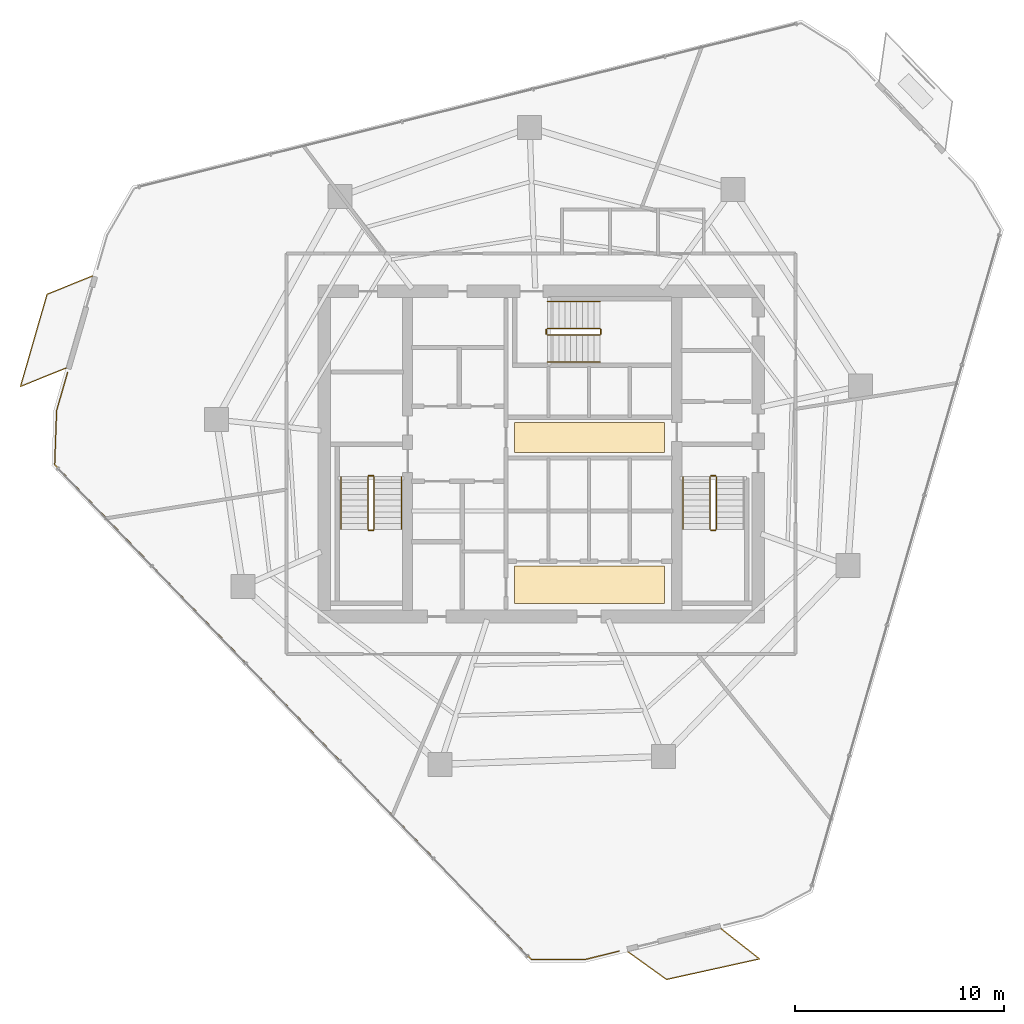
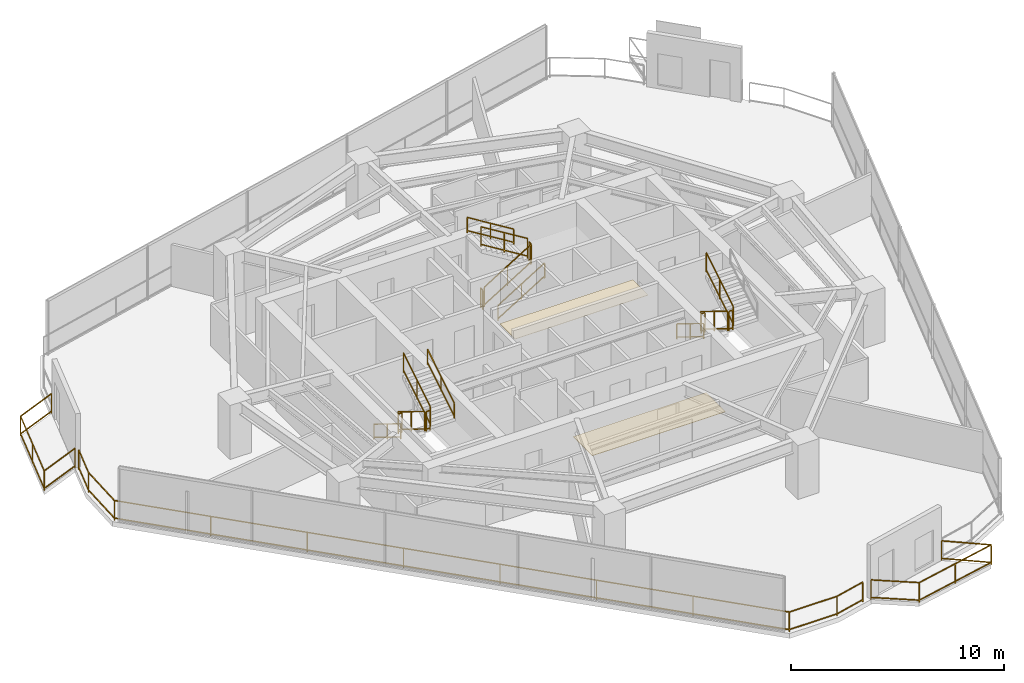
# One storey, part 22 of 23: 20 railings, 2 coverings.
"""IFC4 building model written with IfcOpenShell, lengths in metres."""

from ifc_helpers import new_model, si_unit, direction, frame, origin, origin_2d, place, context, subcontext, project, spatial, rectangle, extrude, material, layer, layer_set, type_object, element, save


model = new_model("IFC4")

# Units and contexts
model_context = context("Model", 3, precision=1e-05, world=origin(), true_north=direction((0.0, 1.0)))
body_context = subcontext(model_context, "Body", "Model", "MODEL_VIEW")
ifc_project = project(units=[si_unit("LENGTHUNIT", "METRE"), si_unit("AREAUNIT", "SQUARE_METRE"), si_unit("VOLUMEUNIT", "CUBIC_METRE"), si_unit("PLANEANGLEUNIT", "RADIAN"), si_unit("MASSUNIT", "GRAM", prefix="KILO")], contexts=[model_context])

# Site, building, storey
site_placement = place(None, origin())
site = spatial("IfcSite", under=ifc_project, at=site_placement, CompositionType="ELEMENT")
building_placement = place(site_placement, origin())
building = spatial("IfcBuilding", under=site, at=building_placement, Name="Qarnah Convention Tower", CompositionType="ELEMENT")
storey_placement = place(building_placement, frame((0.0, 0.0, 117.75)))
storey = spatial("IfcBuildingStorey", under=building, at=storey_placement, Name="L31", CompositionType="ELEMENT", Elevation=117.75)

# Coverings
ifc_material_1 = material(Name="Mineral fibre acoustic ceiling")
ifc_layer_1 = layer(ifc_material_1, 0.02001953125)
ifc_layer_set_1 = layer_set([ifc_layer_1], Name="Mineral fibre acoustic ceiling")
covering_type_1 = type_object("IfcCoveringType", Name="COV-CEIL-20", PredefinedType="CEILING", material=ifc_layer_set_1)
covering_1_placement = place(storey_placement, frame((39.52001953125, 27.179931640625, 2.2900390625), z_axis=(0.0, 0.0, 1.0), x_axis=(1.0, 0.0, 0.0)))
element("IfcCovering", 1, at=covering_1_placement, inside=storey, type_object=covering_type_1, Name="L31 lift lobby acoustic ceiling", PredefinedType="CEILING", context=body_context, shape_type="SweptSolid", body=[
    extrude(rectangle(XDim=7.199951171875, YDim=1.449951171875, at=origin_2d()), origin(), (0.0, 0.0, 1.0), 0.02001953125),
])
ifc_material_2 = material(Name="Porcelain stone floor tile", Category="masonry")
ifc_layer_2 = layer(ifc_material_2, 0.02001953125)
ifc_layer_set_2 = layer_set([ifc_layer_2], Name="Porcelain stone floor tile")
covering_type_2 = type_object("IfcCoveringType", Name="COV-FLOOR-20", PredefinedType="FLOORING", material=ifc_layer_set_2)
covering_2_placement = place(storey_placement, frame((39.52001953125, 20.1201171875, 0.0), z_axis=(0.0, 0.0, 1.0), x_axis=(1.0, 0.0, 0.0)))
element("IfcCovering", 2, at=covering_2_placement, inside=storey, type_object=covering_type_2, Name="L31 lift lobby porcelain stone flooring", PredefinedType="FLOORING", context=body_context, shape_type="SweptSolid", body=[
    extrude(rectangle(XDim=7.199951171875, YDim=1.800048828125, at=origin_2d()), origin(), (0.0, 0.0, 1.0), 0.02001953125),
])

# Railings
ifc_material_3 = material(Name="Black anodised aluminium", Category="aluminium")
railing_type_1 = type_object("IfcRailingType", Name="RL-EXT-GUARD-1150", PredefinedType="GUARDRAIL", material=ifc_material_3)
railing_1_placement = place(storey_placement, frame((40.94091796875, 2.56201171875, 0.0)))
element("IfcRailing", 3, at=railing_1_placement, inside=storey, type_object=railing_type_1, Name="L31 slab-edge perimeter safety guard 03", PredefinedType="GUARDRAIL", context=body_context, shape_type="SweptSolid", body=[
    extrude(rectangle(XDim=0.048095703125, YDim=0.048095703125, at=origin_2d()), frame((0.0, 0.0, 1.1259765625), z_axis=(-0.97064839795, -0.240502988664, 0.0), x_axis=(0.240502988664, -0.97064839795, 0.0)), (0.0, 0.0, 1.0), 1.66796875),
    extrude(rectangle(XDim=0.048095703125, YDim=0.048095703125, at=origin_2d()), frame((0.0, 0.0, 0.1201171875), z_axis=(-0.97064839795, -0.240502988664, 0.0), x_axis=(0.240502988664, -0.97064839795, 0.0)), (0.0, 0.0, 1.0), 1.66796875),
    extrude(rectangle(XDim=0.048095703125, YDim=0.048095703125, at=origin_2d()), frame((-1.618896484375, -0.401123046875, 1.1259765625), z_axis=(-0.999999248096, 0.001226298484, 0.0), x_axis=(-0.001226298484, -0.999999248096, 0.0)), (0.0, 0.0, 1.0), 2.588134765625),
    extrude(rectangle(XDim=0.048095703125, YDim=0.048095703125, at=origin_2d()), frame((-1.618896484375, -0.401123046875, 0.1201171875), z_axis=(-0.999999248096, 0.001226298484, 0.0), x_axis=(-0.001226298484, -0.999999248096, 0.0)), (0.0, 0.0, 1.0), 2.588134765625),
    extrude(rectangle(XDim=0.048095703125, YDim=0.048095703125, at=origin_2d()), frame((-4.20703125, -0.39794921875, 1.1259765625), z_axis=(-0.693668608971, 0.720294287724, 0.0), x_axis=(-0.720294287724, -0.693668608971, 0.0)), (0.0, 0.0, 1.0), 32.936279296875),
    extrude(rectangle(XDim=0.048095703125, YDim=0.048095703125, at=origin_2d()), frame((-4.20703125, -0.39794921875, 0.1201171875), z_axis=(-0.693668608971, 0.720294287724, 0.0), x_axis=(-0.720294287724, -0.693668608971, 0.0)), (0.0, 0.0, 1.0), 32.936279296875),
    extrude(rectangle(XDim=0.048095703125, YDim=0.048095703125, at=origin_2d()), frame((-27.053955078125, 23.325927734375, 1.1259765625), z_axis=(0.035916816557, 0.999354782992, 0.0), x_axis=(-0.999354782992, 0.035916816557, 0.0)), (0.0, 0.0, 1.0), 2.58984375),
    extrude(rectangle(XDim=0.048095703125, YDim=0.048095703125, at=origin_2d()), frame((-27.053955078125, 23.325927734375, 0.1201171875), z_axis=(0.035916816557, 0.999354782992, 0.0), x_axis=(-0.999354782992, 0.035916816557, 0.0)), (0.0, 0.0, 1.0), 2.58984375),
    extrude(rectangle(XDim=0.048095703125, YDim=0.048095703125, at=origin_2d()), frame((-26.9609375, 25.9140625, 1.1259765625), z_axis=(0.277012311124, 0.960866369213, 0.0), x_axis=(-0.960866369213, 0.277012311124, 0.0)), (0.0, 0.0, 1.0), 1.899169921875),
    extrude(rectangle(XDim=0.048095703125, YDim=0.048095703125, at=origin_2d()), frame((-26.9609375, 25.9140625, 0.1201171875), z_axis=(0.277012311124, 0.960866369213, 0.0), x_axis=(-0.960866369213, 0.277012311124, 0.0)), (0.0, 0.0, 1.0), 1.899169921875),
    extrude(rectangle(XDim=0.0419921875, YDim=0.0419921875, at=origin_2d()), origin(), (0.0, 0.0, 1.0), 1.101806640625),
    extrude(rectangle(XDim=0.0419921875, YDim=0.0419921875, at=origin_2d()), frame((-1.618896484375, -0.401123046875, 0.0)), (0.0, 0.0, 1.0), 1.101806640625),
    extrude(rectangle(XDim=0.0419921875, YDim=0.0419921875, at=origin_2d()), frame((-4.20703125, -0.39794921875, 0.0)), (0.0, 0.0, 1.0), 1.101806640625),
    extrude(rectangle(XDim=0.0419921875, YDim=0.0419921875, at=origin_2d()), frame((-7.470947265625, 2.9912109375, 0.0)), (0.0, 0.0, 1.0), 1.101806640625),
    extrude(rectangle(XDim=0.0419921875, YDim=0.0419921875, at=origin_2d()), frame((-10.734619140625, 6.38037109375, 0.0)), (0.0, 0.0, 1.0), 1.101806640625),
    extrude(rectangle(XDim=0.0419921875, YDim=0.0419921875, at=origin_2d()), frame((-13.99853515625, 9.76953125, 0.0)), (0.0, 0.0, 1.0), 1.101806640625),
    extrude(rectangle(XDim=0.0419921875, YDim=0.0419921875, at=origin_2d()), frame((-17.262451171875, 13.158447265625, 0.0)), (0.0, 0.0, 1.0), 1.101806640625),
    extrude(rectangle(XDim=0.0419921875, YDim=0.0419921875, at=origin_2d()), frame((-20.5263671875, 16.547607421875, 0.0)), (0.0, 0.0, 1.0), 1.101806640625),
    extrude(rectangle(XDim=0.0419921875, YDim=0.0419921875, at=origin_2d()), frame((-23.7900390625, 19.936767578125, 0.0)), (0.0, 0.0, 1.0), 1.101806640625),
    extrude(rectangle(XDim=0.0419921875, YDim=0.0419921875, at=origin_2d()), frame((-27.053955078125, 23.325927734375, 0.0)), (0.0, 0.0, 1.0), 1.101806640625),
    extrude(rectangle(XDim=0.0419921875, YDim=0.0419921875, at=origin_2d()), frame((-26.9609375, 25.9140625, 0.0)), (0.0, 0.0, 1.0), 1.101806640625),
    extrude(rectangle(XDim=0.0419921875, YDim=0.0419921875, at=origin_2d()), frame((-26.434814453125, 27.739013671875, 0.0)), (0.0, 0.0, 1.0), 1.101806640625),
])
railing_2_placement = place(storey_placement, frame((14.425048828125, 30.5048828125, 0.0)))
element("IfcRailing", 4, at=railing_2_placement, inside=storey, type_object=railing_type_1, Name="L31 balcony safety guard BAL-L31-C2", PredefinedType="GUARDRAIL", context=body_context, shape_type="SweptSolid", body=[
    extrude(rectangle(XDim=0.048095703125, YDim=0.048095703125, at=origin_2d()), frame((0.0, 0.0, 1.1259765625), z_axis=(-0.927628078231, -0.37350521881, 0.0), x_axis=(0.37350521881, -0.927628078231, 0.0)), (0.0, 0.0, 1.0), 2.347900390625),
    extrude(rectangle(XDim=0.048095703125, YDim=0.048095703125, at=origin_2d()), frame((0.0, 0.0, 0.1201171875), z_axis=(-0.927628078231, -0.37350521881, 0.0), x_axis=(0.37350521881, -0.927628078231, 0.0)), (0.0, 0.0, 1.0), 2.347900390625),
    extrude(rectangle(XDim=0.048095703125, YDim=0.048095703125, at=origin_2d()), frame((-2.177978515625, -0.876953125, 1.1259765625), z_axis=(0.276935449931, 0.960888524529, 0.0), x_axis=(-0.960888524529, 0.276935449931, 0.0)), (0.0, 0.0, 1.0), 4.60009765625),
    extrude(rectangle(XDim=0.048095703125, YDim=0.048095703125, at=origin_2d()), frame((-2.177978515625, -0.876953125, 0.1201171875), z_axis=(0.276935449931, 0.960888524529, 0.0), x_axis=(-0.960888524529, 0.276935449931, 0.0)), (0.0, 0.0, 1.0), 4.60009765625),
    extrude(rectangle(XDim=0.048095703125, YDim=0.048095703125, at=origin_2d()), frame((-0.904052734375, 3.543212890625, 1.1259765625), z_axis=(0.927628078231, 0.37350521881, 0.0), x_axis=(-0.37350521881, 0.927628078231, 0.0)), (0.0, 0.0, 1.0), 2.347900390625),
    extrude(rectangle(XDim=0.048095703125, YDim=0.048095703125, at=origin_2d()), frame((-0.904052734375, 3.543212890625, 0.1201171875), z_axis=(0.927628078231, 0.37350521881, 0.0), x_axis=(-0.37350521881, 0.927628078231, 0.0)), (0.0, 0.0, 1.0), 2.347900390625),
    extrude(rectangle(XDim=0.0419921875, YDim=0.0419921875, at=origin_2d()), origin(), (0.0, 0.0, 1.0), 1.101806640625),
    extrude(rectangle(XDim=0.0419921875, YDim=0.0419921875, at=origin_2d()), frame((-2.177978515625, -0.876953125, 0.0)), (0.0, 0.0, 1.0), 1.101806640625),
    extrude(rectangle(XDim=0.0419921875, YDim=0.0419921875, at=origin_2d()), frame((-1.541015625, 1.3330078125, 0.0)), (0.0, 0.0, 1.0), 1.101806640625),
    extrude(rectangle(XDim=0.0419921875, YDim=0.0419921875, at=origin_2d()), frame((-0.904052734375, 3.543212890625, 0.0)), (0.0, 0.0, 1.0), 1.101806640625),
    extrude(rectangle(XDim=0.0419921875, YDim=0.0419921875, at=origin_2d()), frame((1.27392578125, 4.420166015625, 0.0)), (0.0, 0.0, 1.0), 1.101806640625),
])
railing_3_placement = place(storey_placement, frame((45.8310546875, 3.635009765625, 0.0)))
element("IfcRailing", 5, at=railing_3_placement, inside=storey, type_object=railing_type_1, Name="L31 balcony safety guard BAL-L31-C3", PredefinedType="GUARDRAIL", context=body_context, shape_type="SweptSolid", body=[
    extrude(rectangle(XDim=0.048095703125, YDim=0.048095703125, at=origin_2d()), frame((0.0, 0.0, 1.1259765625), z_axis=(0.78712959931, -0.616787640838, 0.0), x_axis=(0.616787640838, 0.78712959931, 0.0)), (0.0, 0.0, 1.0), 2.34765625),
    extrude(rectangle(XDim=0.048095703125, YDim=0.048095703125, at=origin_2d()), frame((0.0, 0.0, 0.1201171875), z_axis=(0.78712959931, -0.616787640838, 0.0), x_axis=(0.616787640838, 0.78712959931, 0.0)), (0.0, 0.0, 1.0), 2.34765625),
    extrude(rectangle(XDim=0.048095703125, YDim=0.048095703125, at=origin_2d()), frame((1.847900390625, -1.447998046875, 1.1259765625), z_axis=(-0.976423910638, -0.215861869571, 0.0), x_axis=(0.215861869571, -0.976423910638, 0.0)), (0.0, 0.0, 1.0), 4.57275390625),
    extrude(rectangle(XDim=0.048095703125, YDim=0.048095703125, at=origin_2d()), frame((1.847900390625, -1.447998046875, 0.1201171875), z_axis=(-0.976423910638, -0.215861869571, 0.0), x_axis=(0.215861869571, -0.976423910638, 0.0)), (0.0, 0.0, 1.0), 4.57275390625),
    extrude(rectangle(XDim=0.048095703125, YDim=0.048095703125, at=origin_2d()), frame((-2.616943359375, -2.43505859375, 1.1259765625), z_axis=(-0.812063030551, 0.583569733976, 0.0), x_axis=(-0.583569733976, -0.812063030551, 0.0)), (0.0, 0.0, 1.0), 2.27587890625),
    extrude(rectangle(XDim=0.048095703125, YDim=0.048095703125, at=origin_2d()), frame((-2.616943359375, -2.43505859375, 0.1201171875), z_axis=(-0.812063030551, 0.583569733976, 0.0), x_axis=(-0.583569733976, -0.812063030551, 0.0)), (0.0, 0.0, 1.0), 2.27587890625),
    extrude(rectangle(XDim=0.0419921875, YDim=0.0419921875, at=origin_2d()), origin(), (0.0, 0.0, 1.0), 1.101806640625),
    extrude(rectangle(XDim=0.0419921875, YDim=0.0419921875, at=origin_2d()), frame((1.847900390625, -1.447998046875, 0.0)), (0.0, 0.0, 1.0), 1.101806640625),
    extrude(rectangle(XDim=0.0419921875, YDim=0.0419921875, at=origin_2d()), frame((-0.384521484375, -1.94140625, 0.0)), (0.0, 0.0, 1.0), 1.101806640625),
    extrude(rectangle(XDim=0.0419921875, YDim=0.0419921875, at=origin_2d()), frame((-2.616943359375, -2.43505859375, 0.0)), (0.0, 0.0, 1.0), 1.101806640625),
    extrude(rectangle(XDim=0.0419921875, YDim=0.0419921875, at=origin_2d()), frame((-4.465087890625, -1.10693359375, 0.0)), (0.0, 0.0, 1.0), 1.101806640625),
])
ifc_material_4 = material(Name="Structural steel S355JR", Category="steel")
railing_type_2 = type_object("IfcRailingType", Name="RL-STAIR-GUARD-1150", PredefinedType="GUARDRAIL", material=ifc_material_4)
railing_4_placement = place(storey_placement, frame((28.89990234375, 25.300048828125, 0.172607421875)))
element("IfcRailing", 6, at=railing_4_placement, inside=storey, type_object=railing_type_2, Name="L31 ST-1 stair guard 1", PredefinedType="GUARDRAIL", context=body_context, shape_type="SweptSolid", body=[
    extrude(rectangle(XDim=0.048095703125, YDim=0.048095703125, at=origin_2d()), frame((0.0, 0.0, 1.1259765625), z_axis=(0.0, -0.851400495292, 0.524516154772), x_axis=(1.0, 0.0, 0.0)), (0.0, 0.0, 1.0), 2.9599609375),
    extrude(rectangle(XDim=0.048095703125, YDim=0.048095703125, at=origin_2d()), frame((0.0, 0.0, 0.1201171875), z_axis=(0.0, -0.851400495292, 0.524516154772), x_axis=(1.0, 0.0, 0.0)), (0.0, 0.0, 1.0), 2.9599609375),
    extrude(rectangle(XDim=0.0419921875, YDim=0.0419921875, at=origin_2d()), origin(), (0.0, 0.0, 1.0), 1.101806640625),
    extrude(rectangle(XDim=0.0419921875, YDim=0.0419921875, at=origin_2d()), frame((0.0, -1.260009765625, 0.7763671875)), (0.0, 0.0, 1.0), 1.101806640625),
    extrude(rectangle(XDim=0.0419921875, YDim=0.0419921875, at=origin_2d()), frame((0.0, -2.52001953125, 1.552490234375)), (0.0, 0.0, 1.0), 1.101806640625),
])
railing_5_placement = place(storey_placement, frame((28.949951171875, 22.72998046875, 1.72509765625)))
element("IfcRailing", 7, at=railing_5_placement, inside=storey, type_object=railing_type_2, Name="L31 ST-1 stair guard 2", PredefinedType="GUARDRAIL", context=body_context, shape_type="SweptSolid", body=[
    extrude(rectangle(XDim=0.048095703125, YDim=0.048095703125, at=origin_2d()), frame((0.0, 0.0, 1.1259765625), z_axis=(1.0, 0.0, 0.0), x_axis=(0.0, 1.0, 0.0)), (0.0, 0.0, 1.0), 0.199951171875),
    extrude(rectangle(XDim=0.048095703125, YDim=0.048095703125, at=origin_2d()), frame((0.0, 0.0, 0.1201171875), z_axis=(1.0, 0.0, 0.0), x_axis=(0.0, 1.0, 0.0)), (0.0, 0.0, 1.0), 0.199951171875),
    extrude(rectangle(XDim=0.0419921875, YDim=0.0419921875, at=origin_2d()), origin(), (0.0, 0.0, 1.0), 1.101806640625),
    extrude(rectangle(XDim=0.0419921875, YDim=0.0419921875, at=origin_2d()), frame((0.199951171875, 0.0, 0.0)), (0.0, 0.0, 1.0), 1.101806640625),
])
railing_6_placement = place(storey_placement, frame((29.199951171875, 22.780029296875, 1.8974609375)))
element("IfcRailing", 8, at=railing_6_placement, inside=storey, type_object=railing_type_2, Name="L31 ST-1 stair guard 3", PredefinedType="GUARDRAIL", context=body_context, shape_type="SweptSolid", body=[
    extrude(rectangle(XDim=0.048095703125, YDim=0.048095703125, at=origin_2d()), frame((0.0, 0.0, 1.1259765625), z_axis=(0.0, 0.851400495292, 0.524516154772), x_axis=(-1.0, 0.0, 0.0)), (0.0, 0.0, 1.0), 2.9599609375),
    extrude(rectangle(XDim=0.048095703125, YDim=0.048095703125, at=origin_2d()), frame((0.0, 0.0, 0.1201171875), z_axis=(0.0, 0.851400495292, 0.524516154772), x_axis=(-1.0, 0.0, 0.0)), (0.0, 0.0, 1.0), 2.9599609375),
    extrude(rectangle(XDim=0.0419921875, YDim=0.0419921875, at=origin_2d()), origin(), (0.0, 0.0, 1.0), 1.101806640625),
    extrude(rectangle(XDim=0.0419921875, YDim=0.0419921875, at=origin_2d()), frame((0.0, 1.260009765625, 0.7763671875)), (0.0, 0.0, 1.0), 1.101806640625),
    extrude(rectangle(XDim=0.0419921875, YDim=0.0419921875, at=origin_2d()), frame((0.0, 2.52001953125, 1.552490234375)), (0.0, 0.0, 1.0), 1.101806640625),
])
railing_7_placement = place(storey_placement, frame((28.949951171875, 25.35009765625, 0.0)))
element("IfcRailing", 9, at=railing_7_placement, inside=storey, type_object=railing_type_2, Name="L31 ST-1 stair guard 4", PredefinedType="GUARDRAIL", context=body_context, shape_type="SweptSolid", body=[
    extrude(rectangle(XDim=0.048095703125, YDim=0.048095703125, at=origin_2d()), frame((0.0, 0.0, 1.1259765625), z_axis=(1.0, 0.0, 0.0), x_axis=(0.0, 1.0, 0.0)), (0.0, 0.0, 1.0), 0.199951171875),
    extrude(rectangle(XDim=0.048095703125, YDim=0.048095703125, at=origin_2d()), frame((0.0, 0.0, 0.1201171875), z_axis=(1.0, 0.0, 0.0), x_axis=(0.0, 1.0, 0.0)), (0.0, 0.0, 1.0), 0.199951171875),
    extrude(rectangle(XDim=0.0419921875, YDim=0.0419921875, at=origin_2d()), origin(), (0.0, 0.0, 1.0), 1.101806640625),
    extrude(rectangle(XDim=0.0419921875, YDim=0.0419921875, at=origin_2d()), frame((0.199951171875, 0.0, 0.0)), (0.0, 0.0, 1.0), 1.101806640625),
])
railing_8_placement = place(storey_placement, frame((45.300048828125, 25.300048828125, 0.172607421875)))
element("IfcRailing", 10, at=railing_8_placement, inside=storey, type_object=railing_type_2, Name="L31 ST-2 stair guard 1", PredefinedType="GUARDRAIL", context=body_context, shape_type="SweptSolid", body=[
    extrude(rectangle(XDim=0.048095703125, YDim=0.048095703125, at=origin_2d()), frame((0.0, 0.0, 1.1259765625), z_axis=(0.0, -0.851400495292, 0.524516154772), x_axis=(1.0, 0.0, 0.0)), (0.0, 0.0, 1.0), 2.9599609375),
    extrude(rectangle(XDim=0.048095703125, YDim=0.048095703125, at=origin_2d()), frame((0.0, 0.0, 0.1201171875), z_axis=(0.0, -0.851400495292, 0.524516154772), x_axis=(1.0, 0.0, 0.0)), (0.0, 0.0, 1.0), 2.9599609375),
    extrude(rectangle(XDim=0.0419921875, YDim=0.0419921875, at=origin_2d()), origin(), (0.0, 0.0, 1.0), 1.101806640625),
    extrude(rectangle(XDim=0.0419921875, YDim=0.0419921875, at=origin_2d()), frame((0.0, -1.260009765625, 0.7763671875)), (0.0, 0.0, 1.0), 1.101806640625),
    extrude(rectangle(XDim=0.0419921875, YDim=0.0419921875, at=origin_2d()), frame((0.0, -2.52001953125, 1.552490234375)), (0.0, 0.0, 1.0), 1.101806640625),
])
railing_9_placement = place(storey_placement, frame((45.35009765625, 22.72998046875, 1.72509765625)))
element("IfcRailing", 11, at=railing_9_placement, inside=storey, type_object=railing_type_2, Name="L31 ST-2 stair guard 2", PredefinedType="GUARDRAIL", context=body_context, shape_type="SweptSolid", body=[
    extrude(rectangle(XDim=0.048095703125, YDim=0.048095703125, at=origin_2d()), frame((0.0, 0.0, 1.1259765625), z_axis=(1.0, 0.0, 0.0), x_axis=(0.0, 1.0, 0.0)), (0.0, 0.0, 1.0), 0.199951171875),
    extrude(rectangle(XDim=0.048095703125, YDim=0.048095703125, at=origin_2d()), frame((0.0, 0.0, 0.1201171875), z_axis=(1.0, 0.0, 0.0), x_axis=(0.0, 1.0, 0.0)), (0.0, 0.0, 1.0), 0.199951171875),
    extrude(rectangle(XDim=0.0419921875, YDim=0.0419921875, at=origin_2d()), origin(), (0.0, 0.0, 1.0), 1.101806640625),
    extrude(rectangle(XDim=0.0419921875, YDim=0.0419921875, at=origin_2d()), frame((0.199951171875, 0.0, 0.0)), (0.0, 0.0, 1.0), 1.101806640625),
])
railing_10_placement = place(storey_placement, frame((45.60009765625, 22.780029296875, 1.8974609375)))
element("IfcRailing", 12, at=railing_10_placement, inside=storey, type_object=railing_type_2, Name="L31 ST-2 stair guard 3", PredefinedType="GUARDRAIL", context=body_context, shape_type="SweptSolid", body=[
    extrude(rectangle(XDim=0.048095703125, YDim=0.048095703125, at=origin_2d()), frame((0.0, 0.0, 1.1259765625), z_axis=(0.0, 0.851400495292, 0.524516154772), x_axis=(-1.0, 0.0, 0.0)), (0.0, 0.0, 1.0), 2.9599609375),
    extrude(rectangle(XDim=0.048095703125, YDim=0.048095703125, at=origin_2d()), frame((0.0, 0.0, 0.1201171875), z_axis=(0.0, 0.851400495292, 0.524516154772), x_axis=(-1.0, 0.0, 0.0)), (0.0, 0.0, 1.0), 2.9599609375),
    extrude(rectangle(XDim=0.0419921875, YDim=0.0419921875, at=origin_2d()), origin(), (0.0, 0.0, 1.0), 1.101806640625),
    extrude(rectangle(XDim=0.0419921875, YDim=0.0419921875, at=origin_2d()), frame((0.0, 1.260009765625, 0.7763671875)), (0.0, 0.0, 1.0), 1.101806640625),
    extrude(rectangle(XDim=0.0419921875, YDim=0.0419921875, at=origin_2d()), frame((0.0, 2.52001953125, 1.552490234375)), (0.0, 0.0, 1.0), 1.101806640625),
])
railing_11_placement = place(storey_placement, frame((45.35009765625, 25.35009765625, 0.0)))
element("IfcRailing", 13, at=railing_11_placement, inside=storey, type_object=railing_type_2, Name="L31 ST-2 stair guard 4", PredefinedType="GUARDRAIL", context=body_context, shape_type="SweptSolid", body=[
    extrude(rectangle(XDim=0.048095703125, YDim=0.048095703125, at=origin_2d()), frame((0.0, 0.0, 1.1259765625), z_axis=(1.0, 0.0, 0.0), x_axis=(0.0, 1.0, 0.0)), (0.0, 0.0, 1.0), 0.199951171875),
    extrude(rectangle(XDim=0.048095703125, YDim=0.048095703125, at=origin_2d()), frame((0.0, 0.0, 0.1201171875), z_axis=(1.0, 0.0, 0.0), x_axis=(0.0, 1.0, 0.0)), (0.0, 0.0, 1.0), 0.199951171875),
    extrude(rectangle(XDim=0.0419921875, YDim=0.0419921875, at=origin_2d()), origin(), (0.0, 0.0, 1.0), 1.101806640625),
    extrude(rectangle(XDim=0.0419921875, YDim=0.0419921875, at=origin_2d()), frame((0.199951171875, 0.0, 0.0)), (0.0, 0.0, 1.0), 1.101806640625),
])
railing_12_placement = place(storey_placement, frame((37.5, 32.10009765625, 0.172607421875)))
element("IfcRailing", 14, at=railing_12_placement, inside=storey, type_object=railing_type_2, Name="L31 ST-3 stair guard 1", PredefinedType="GUARDRAIL", context=body_context, shape_type="SweptSolid", body=[
    extrude(rectangle(XDim=0.048095703125, YDim=0.048095703125, at=origin_2d()), frame((0.0, 0.0, 1.1259765625), z_axis=(0.851400495292, 0.0, 0.524516154772), x_axis=(0.0, 1.0, 0.0)), (0.0, 0.0, 1.0), 2.9599609375),
    extrude(rectangle(XDim=0.048095703125, YDim=0.048095703125, at=origin_2d()), frame((0.0, 0.0, 0.1201171875), z_axis=(0.851400495292, 0.0, 0.524516154772), x_axis=(0.0, 1.0, 0.0)), (0.0, 0.0, 1.0), 2.9599609375),
    extrude(rectangle(XDim=0.0419921875, YDim=0.0419921875, at=origin_2d()), origin(), (0.0, 0.0, 1.0), 1.101806640625),
    extrude(rectangle(XDim=0.0419921875, YDim=0.0419921875, at=origin_2d()), frame((1.260009765625, 0.0, 0.7763671875)), (0.0, 0.0, 1.0), 1.101806640625),
    extrude(rectangle(XDim=0.0419921875, YDim=0.0419921875, at=origin_2d()), frame((2.52001953125, 0.0, 1.552490234375)), (0.0, 0.0, 1.0), 1.101806640625),
])
railing_13_placement = place(storey_placement, frame((40.070068359375, 32.14990234375, 1.72509765625)))
element("IfcRailing", 15, at=railing_13_placement, inside=storey, type_object=railing_type_2, Name="L31 ST-3 stair guard 2", PredefinedType="GUARDRAIL", context=body_context, shape_type="SweptSolid", body=[
    extrude(rectangle(XDim=0.048095703125, YDim=0.048095703125, at=origin_2d()), frame((0.0, 0.0, 1.1259765625), z_axis=(0.0, 1.0, 0.0), x_axis=(-1.0, 0.0, 0.0)), (0.0, 0.0, 1.0), 0.2001953125),
    extrude(rectangle(XDim=0.048095703125, YDim=0.048095703125, at=origin_2d()), frame((0.0, 0.0, 0.1201171875), z_axis=(0.0, 1.0, 0.0), x_axis=(-1.0, 0.0, 0.0)), (0.0, 0.0, 1.0), 0.2001953125),
    extrude(rectangle(XDim=0.0419921875, YDim=0.0419921875, at=origin_2d()), origin(), (0.0, 0.0, 1.0), 1.101806640625),
    extrude(rectangle(XDim=0.0419921875, YDim=0.0419921875, at=origin_2d()), frame((0.0, 0.2001953125, 0.0)), (0.0, 0.0, 1.0), 1.101806640625),
])
railing_14_placement = place(storey_placement, frame((40.02001953125, 32.39990234375, 1.8974609375)))
element("IfcRailing", 16, at=railing_14_placement, inside=storey, type_object=railing_type_2, Name="L31 ST-3 stair guard 3", PredefinedType="GUARDRAIL", context=body_context, shape_type="SweptSolid", body=[
    extrude(rectangle(XDim=0.048095703125, YDim=0.048095703125, at=origin_2d()), frame((0.0, 0.0, 1.1259765625), z_axis=(-0.851400495292, 0.0, 0.524516154772), x_axis=(0.0, -1.0, 0.0)), (0.0, 0.0, 1.0), 2.9599609375),
    extrude(rectangle(XDim=0.048095703125, YDim=0.048095703125, at=origin_2d()), frame((0.0, 0.0, 0.1201171875), z_axis=(-0.851400495292, 0.0, 0.524516154772), x_axis=(0.0, -1.0, 0.0)), (0.0, 0.0, 1.0), 2.9599609375),
    extrude(rectangle(XDim=0.0419921875, YDim=0.0419921875, at=origin_2d()), origin(), (0.0, 0.0, 1.0), 1.101806640625),
    extrude(rectangle(XDim=0.0419921875, YDim=0.0419921875, at=origin_2d()), frame((-1.260009765625, 0.0, 0.7763671875)), (0.0, 0.0, 1.0), 1.101806640625),
    extrude(rectangle(XDim=0.0419921875, YDim=0.0419921875, at=origin_2d()), frame((-2.52001953125, 0.0, 1.552490234375)), (0.0, 0.0, 1.0), 1.101806640625),
])
railing_15_placement = place(storey_placement, frame((37.449951171875, 32.14990234375, 0.0)))
element("IfcRailing", 17, at=railing_15_placement, inside=storey, type_object=railing_type_2, Name="L31 ST-3 stair guard 4", PredefinedType="GUARDRAIL", context=body_context, shape_type="SweptSolid", body=[
    extrude(rectangle(XDim=0.048095703125, YDim=0.048095703125, at=origin_2d()), frame((0.0, 0.0, 1.1259765625), z_axis=(0.0, 1.0, 0.0), x_axis=(-1.0, 0.0, 0.0)), (0.0, 0.0, 1.0), 0.2001953125),
    extrude(rectangle(XDim=0.048095703125, YDim=0.048095703125, at=origin_2d()), frame((0.0, 0.0, 0.1201171875), z_axis=(0.0, 1.0, 0.0), x_axis=(-1.0, 0.0, 0.0)), (0.0, 0.0, 1.0), 0.2001953125),
    extrude(rectangle(XDim=0.0419921875, YDim=0.0419921875, at=origin_2d()), origin(), (0.0, 0.0, 1.0), 1.101806640625),
    extrude(rectangle(XDim=0.0419921875, YDim=0.0419921875, at=origin_2d()), frame((0.0, 0.2001953125, 0.0)), (0.0, 0.0, 1.0), 1.101806640625),
])
railing_type_3 = type_object("IfcRailingType", Name="RL-STAIR-HAND-900", PredefinedType="HANDRAIL", material=ifc_material_4)
railing_16_placement = place(storey_placement, frame((27.60009765625, 25.300048828125, 0.172607421875)))
element("IfcRailing", 18, at=railing_16_placement, inside=storey, type_object=railing_type_3, Name="L31 ST-1 stair handrail 1", PredefinedType="HANDRAIL", context=body_context, shape_type="SweptSolid", body=[
    extrude(rectangle(XDim=0.048095703125, YDim=0.048095703125, at=origin_2d()), frame((0.0, 0.0, 0.8759765625), z_axis=(0.0, -0.851400495292, 0.524516154772), x_axis=(1.0, 0.0, 0.0)), (0.0, 0.0, 1.0), 2.9599609375),
    extrude(rectangle(XDim=0.048095703125, YDim=0.048095703125, at=origin_2d()), frame((0.0, 0.0, 0.1201171875), z_axis=(0.0, -0.851400495292, 0.524516154772), x_axis=(1.0, 0.0, 0.0)), (0.0, 0.0, 1.0), 2.9599609375),
    extrude(rectangle(XDim=0.0419921875, YDim=0.0419921875, at=origin_2d()), origin(), (0.0, 0.0, 1.0), 0.851806640625),
    extrude(rectangle(XDim=0.0419921875, YDim=0.0419921875, at=origin_2d()), frame((0.0, -1.260009765625, 0.7763671875)), (0.0, 0.0, 1.0), 0.851806640625),
    extrude(rectangle(XDim=0.0419921875, YDim=0.0419921875, at=origin_2d()), frame((0.0, -2.52001953125, 1.552490234375)), (0.0, 0.0, 1.0), 0.851806640625),
])
railing_17_placement = place(storey_placement, frame((30.5, 22.780029296875, 1.8974609375)))
element("IfcRailing", 19, at=railing_17_placement, inside=storey, type_object=railing_type_3, Name="L31 ST-1 stair handrail 2", PredefinedType="HANDRAIL", context=body_context, shape_type="SweptSolid", body=[
    extrude(rectangle(XDim=0.048095703125, YDim=0.048095703125, at=origin_2d()), frame((0.0, 0.0, 0.8759765625), z_axis=(0.0, 0.851400495292, 0.524516154772), x_axis=(-1.0, 0.0, 0.0)), (0.0, 0.0, 1.0), 2.9599609375),
    extrude(rectangle(XDim=0.048095703125, YDim=0.048095703125, at=origin_2d()), frame((0.0, 0.0, 0.1201171875), z_axis=(0.0, 0.851400495292, 0.524516154772), x_axis=(-1.0, 0.0, 0.0)), (0.0, 0.0, 1.0), 2.9599609375),
    extrude(rectangle(XDim=0.0419921875, YDim=0.0419921875, at=origin_2d()), origin(), (0.0, 0.0, 1.0), 0.851806640625),
    extrude(rectangle(XDim=0.0419921875, YDim=0.0419921875, at=origin_2d()), frame((0.0, 1.260009765625, 0.7763671875)), (0.0, 0.0, 1.0), 0.851806640625),
    extrude(rectangle(XDim=0.0419921875, YDim=0.0419921875, at=origin_2d()), frame((0.0, 2.52001953125, 1.552490234375)), (0.0, 0.0, 1.0), 0.851806640625),
])
railing_18_placement = place(storey_placement, frame((44.0, 25.300048828125, 0.172607421875)))
element("IfcRailing", 20, at=railing_18_placement, inside=storey, type_object=railing_type_3, Name="L31 ST-2 stair handrail 1", PredefinedType="HANDRAIL", context=body_context, shape_type="SweptSolid", body=[
    extrude(rectangle(XDim=0.048095703125, YDim=0.048095703125, at=origin_2d()), frame((0.0, 0.0, 0.8759765625), z_axis=(0.0, -0.851400495292, 0.524516154772), x_axis=(1.0, 0.0, 0.0)), (0.0, 0.0, 1.0), 2.9599609375),
    extrude(rectangle(XDim=0.048095703125, YDim=0.048095703125, at=origin_2d()), frame((0.0, 0.0, 0.1201171875), z_axis=(0.0, -0.851400495292, 0.524516154772), x_axis=(1.0, 0.0, 0.0)), (0.0, 0.0, 1.0), 2.9599609375),
    extrude(rectangle(XDim=0.0419921875, YDim=0.0419921875, at=origin_2d()), origin(), (0.0, 0.0, 1.0), 0.851806640625),
    extrude(rectangle(XDim=0.0419921875, YDim=0.0419921875, at=origin_2d()), frame((0.0, -1.260009765625, 0.7763671875)), (0.0, 0.0, 1.0), 0.851806640625),
    extrude(rectangle(XDim=0.0419921875, YDim=0.0419921875, at=origin_2d()), frame((0.0, -2.52001953125, 1.552490234375)), (0.0, 0.0, 1.0), 0.851806640625),
])
railing_19_placement = place(storey_placement, frame((37.5, 30.800048828125, 0.172607421875)))
element("IfcRailing", 21, at=railing_19_placement, inside=storey, type_object=railing_type_3, Name="L31 ST-3 stair handrail 1", PredefinedType="HANDRAIL", context=body_context, shape_type="SweptSolid", body=[
    extrude(rectangle(XDim=0.048095703125, YDim=0.048095703125, at=origin_2d()), frame((0.0, 0.0, 0.8759765625), z_axis=(0.851400495292, 0.0, 0.524516154772), x_axis=(0.0, 1.0, 0.0)), (0.0, 0.0, 1.0), 2.9599609375),
    extrude(rectangle(XDim=0.048095703125, YDim=0.048095703125, at=origin_2d()), frame((0.0, 0.0, 0.1201171875), z_axis=(0.851400495292, 0.0, 0.524516154772), x_axis=(0.0, 1.0, 0.0)), (0.0, 0.0, 1.0), 2.9599609375),
    extrude(rectangle(XDim=0.0419921875, YDim=0.0419921875, at=origin_2d()), origin(), (0.0, 0.0, 1.0), 0.851806640625),
    extrude(rectangle(XDim=0.0419921875, YDim=0.0419921875, at=origin_2d()), frame((1.260009765625, 0.0, 0.7763671875)), (0.0, 0.0, 1.0), 0.851806640625),
    extrude(rectangle(XDim=0.0419921875, YDim=0.0419921875, at=origin_2d()), frame((2.52001953125, 0.0, 1.552490234375)), (0.0, 0.0, 1.0), 0.851806640625),
])
railing_20_placement = place(storey_placement, frame((40.02001953125, 33.699951171875, 1.8974609375)))
element("IfcRailing", 22, at=railing_20_placement, inside=storey, type_object=railing_type_3, Name="L31 ST-3 stair handrail 2", PredefinedType="HANDRAIL", context=body_context, shape_type="SweptSolid", body=[
    extrude(rectangle(XDim=0.048095703125, YDim=0.048095703125, at=origin_2d()), frame((0.0, 0.0, 0.8759765625), z_axis=(-0.851400495292, 0.0, 0.524516154772), x_axis=(0.0, -1.0, 0.0)), (0.0, 0.0, 1.0), 2.9599609375),
    extrude(rectangle(XDim=0.048095703125, YDim=0.048095703125, at=origin_2d()), frame((0.0, 0.0, 0.1201171875), z_axis=(-0.851400495292, 0.0, 0.524516154772), x_axis=(0.0, -1.0, 0.0)), (0.0, 0.0, 1.0), 2.9599609375),
    extrude(rectangle(XDim=0.0419921875, YDim=0.0419921875, at=origin_2d()), origin(), (0.0, 0.0, 1.0), 0.851806640625),
    extrude(rectangle(XDim=0.0419921875, YDim=0.0419921875, at=origin_2d()), frame((-1.260009765625, 0.0, 0.7763671875)), (0.0, 0.0, 1.0), 0.851806640625),
    extrude(rectangle(XDim=0.0419921875, YDim=0.0419921875, at=origin_2d()), frame((-2.52001953125, 0.0, 1.552490234375)), (0.0, 0.0, 1.0), 0.851806640625),
])

save(model, "model.ifc")
